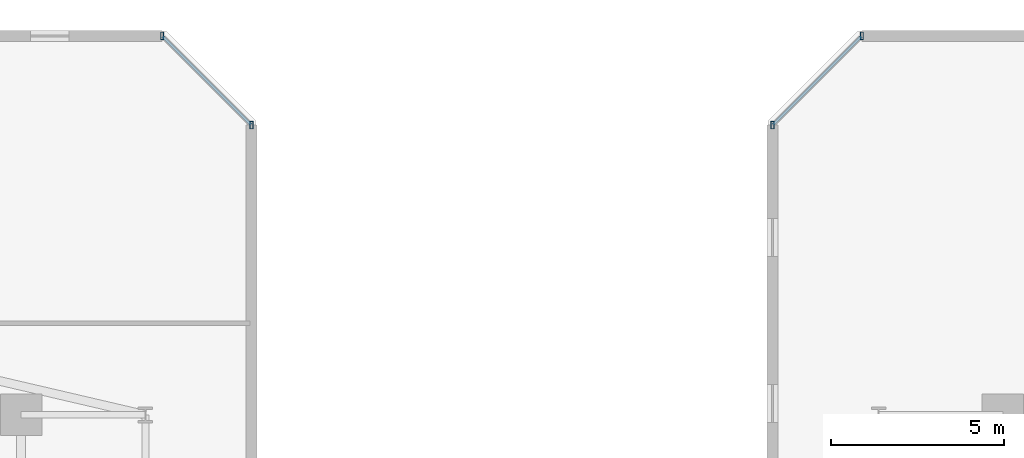
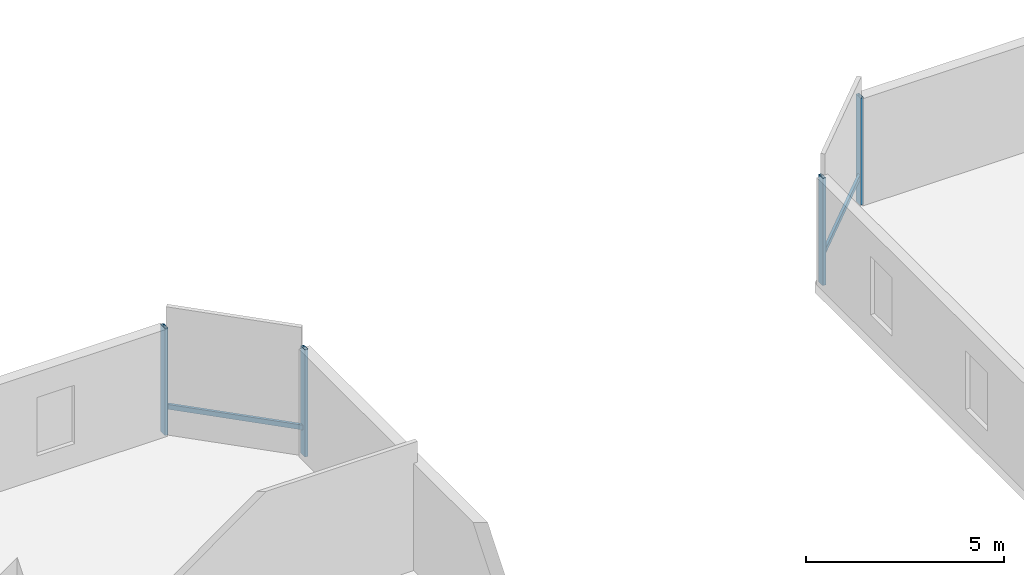
# One storey, part 10 of 30: 6 members, 2 elements without a shape of their own.
"""IFC4 building model written with IfcOpenShell, lengths in metres."""

from ifc_helpers import new_model, si_unit, direction, frame, origin, origin_2d, place, context, subcontext, project, spatial, hollow_rectangle, extrude, material, material_profile, profile_set, type_object, element, aggregate, save


model = new_model("IFC4")

# Units and contexts
model_context = context("Model", 3, precision=1e-05, world=origin(), true_north=direction((0.0, 1.0)))
body_context = subcontext(model_context, "Body", "Model", "MODEL_VIEW")
ifc_project = project(units=[si_unit("LENGTHUNIT", "METRE"), si_unit("AREAUNIT", "SQUARE_METRE"), si_unit("VOLUMEUNIT", "CUBIC_METRE"), si_unit("PLANEANGLEUNIT", "RADIAN"), si_unit("MASSUNIT", "GRAM", prefix="KILO")], contexts=[model_context])

# Site, building, storey
site_placement = place(None, origin())
site = spatial("IfcSite", under=ifc_project, at=site_placement, CompositionType="ELEMENT")
building_placement = place(site_placement, origin())
building = spatial("IfcBuilding", under=site, at=building_placement, Name="Thornwick Lancets Civic Towers", CompositionType="ELEMENT")
storey_placement = place(building_placement, frame((0.0, 0.0, 75.89990234375)))
storey = spatial("IfcBuildingStorey", under=building, at=storey_placement, Name="L19", CompositionType="ELEMENT", Elevation=75.89990234375)

# Curtain wall, members
ifc_material_1 = material(Name="Low-zone chamfered-corner unitised glass curtain wall", Category="glass")
curtain_wall_type = type_object("IfcCurtainWallType", Name="CW_SYS_03", PredefinedType="NOTDEFINED", material=ifc_material_1)
curtain_wall_1_placement = place(storey_placement, origin())
curtain_wall_1 = element("IfcCurtainWall", 1, at=curtain_wall_1_placement, inside=storey, type_object=curtain_wall_type, Name="L19 Curtain Wall CW-L19-A-E3", PredefinedType="NOTDEFINED")
ifc_material_2 = material(Name="Thermally broken bronze aluminium S355", Category="steel")
ifc_material_profile_1 = material_profile(ifc_material_2, hollow_rectangle(XDim=0.090087890625, YDim=0.219970703125, WallThickness=0.00634765625, at=origin_2d()), Name="RHS 220x90x6.3")
ifc_profile_set_1 = profile_set([ifc_material_profile_1], Name="Thermally broken bronze aluminium S355")
member_type_1 = type_object("IfcMemberType", Name="CW_MUL_220", PredefinedType="MULLION", material=ifc_profile_set_1)
member_1_placement = place(storey_placement, frame((49.464599609375, 48.38134765625, 0.0), z_axis=(0.0, 0.0, 1.0), x_axis=(1.0, 0.0, 0.0)))
member_1 = element("IfcMember", 2, at=member_1_placement, type_object=member_type_1, Name="CW-L19-A-E3 Mullion 0", PredefinedType="MULLION", context=body_context, shape_type="SweptSolid", body=[
    extrude(hollow_rectangle(XDim=0.090087890625, YDim=0.219970703125, WallThickness=0.00634765625, at=origin_2d()), origin(), (0.0, 0.0, 1.0), 3.300048828125),
])
member_2_placement = place(storey_placement, frame((46.88134765625, 50.964599609375, 0.0), z_axis=(0.0, 0.0, 1.0), x_axis=(1.0, 0.0, 0.0)))
member_2 = element("IfcMember", 3, at=member_2_placement, type_object=member_type_1, Name="CW-L19-A-E3 Mullion 1", PredefinedType="MULLION", context=body_context, shape_type="SweptSolid", body=[
    extrude(hollow_rectangle(XDim=0.090087890625, YDim=0.219970703125, WallThickness=0.00634765625, at=origin_2d()), origin(), (0.0, 0.0, 1.0), 3.300048828125),
])

curtain_wall_2_placement = place(storey_placement, origin())
curtain_wall_2 = element("IfcCurtainWall", 4, at=curtain_wall_2_placement, inside=storey, type_object=curtain_wall_type, Name="L19 Curtain Wall CW-L19-B-E5", PredefinedType="NOTDEFINED")
member_3_placement = place(storey_placement, frame((67.11865234375, 50.964599609375, 0.0), z_axis=(0.0, 0.0, 1.0), x_axis=(1.0, 0.0, 0.0)))
member_3 = element("IfcMember", 5, at=member_3_placement, type_object=member_type_1, Name="CW-L19-B-E5 Mullion 0", PredefinedType="MULLION", context=body_context, shape_type="SweptSolid", body=[
    extrude(hollow_rectangle(XDim=0.090087890625, YDim=0.219970703125, WallThickness=0.00634765625, at=origin_2d()), origin(), (0.0, 0.0, 1.0), 3.300048828125),
])
member_4_placement = place(storey_placement, frame((64.535400390625, 48.38134765625, 0.0), z_axis=(0.0, 0.0, 1.0), x_axis=(1.0, 0.0, 0.0)))
member_4 = element("IfcMember", 6, at=member_4_placement, type_object=member_type_1, Name="CW-L19-B-E5 Mullion 1", PredefinedType="MULLION", context=body_context, shape_type="SweptSolid", body=[
    extrude(hollow_rectangle(XDim=0.090087890625, YDim=0.219970703125, WallThickness=0.00634765625, at=origin_2d()), origin(), (0.0, 0.0, 1.0), 3.300048828125),
])

# Member
ifc_material_profile_2 = material_profile(ifc_material_2, hollow_rectangle(XDim=0.074951171875, YDim=0.14990234375, WallThickness=0.0048828125, at=origin_2d()), Name="RHS 150x75x5")
ifc_profile_set_2 = profile_set([ifc_material_profile_2], Name="Thermally broken bronze aluminium S355")
member_type_2 = type_object("IfcMemberType", Name="CW_TRN_150", PredefinedType="USERDEFINED", material=ifc_profile_set_2)
member_5_placement = place(storey_placement, frame((49.45068359375, 48.3955078125, 0.85009765625), z_axis=(-0.707106781187, 0.707106781187, 0.0), x_axis=(-0.707106781187, -0.707106781187, 0.0)))
member_5 = element("IfcMember", 7, at=member_5_placement, type_object=member_type_2, Name="CW-L19-A-E3 Transom 0", ObjectType="TRANSOM", PredefinedType="USERDEFINED", context=body_context, shape_type="SweptSolid", body=[
    extrude(hollow_rectangle(XDim=0.074951171875, YDim=0.14990234375, WallThickness=0.0048828125, at=origin_2d()), origin(), (0.0, 0.0, 1.0), 3.613525390625),
])

aggregate(curtain_wall_1, [member_1, member_2, member_5])

member_6_placement = place(storey_placement, frame((67.1044921875, 50.95068359375, 0.85009765625), z_axis=(-0.707106781187, -0.707106781187, 0.0), x_axis=(0.707106781187, -0.707106781187, 0.0)))
member_6 = element("IfcMember", 8, at=member_6_placement, type_object=member_type_2, Name="CW-L19-B-E5 Transom 0", ObjectType="TRANSOM", PredefinedType="USERDEFINED", context=body_context, shape_type="SweptSolid", body=[
    extrude(hollow_rectangle(XDim=0.074951171875, YDim=0.14990234375, WallThickness=0.0048828125, at=origin_2d()), origin(), (0.0, 0.0, 1.0), 3.613525390625),
])

aggregate(curtain_wall_2, [member_3, member_4, member_6])

save(model, "model.ifc")
